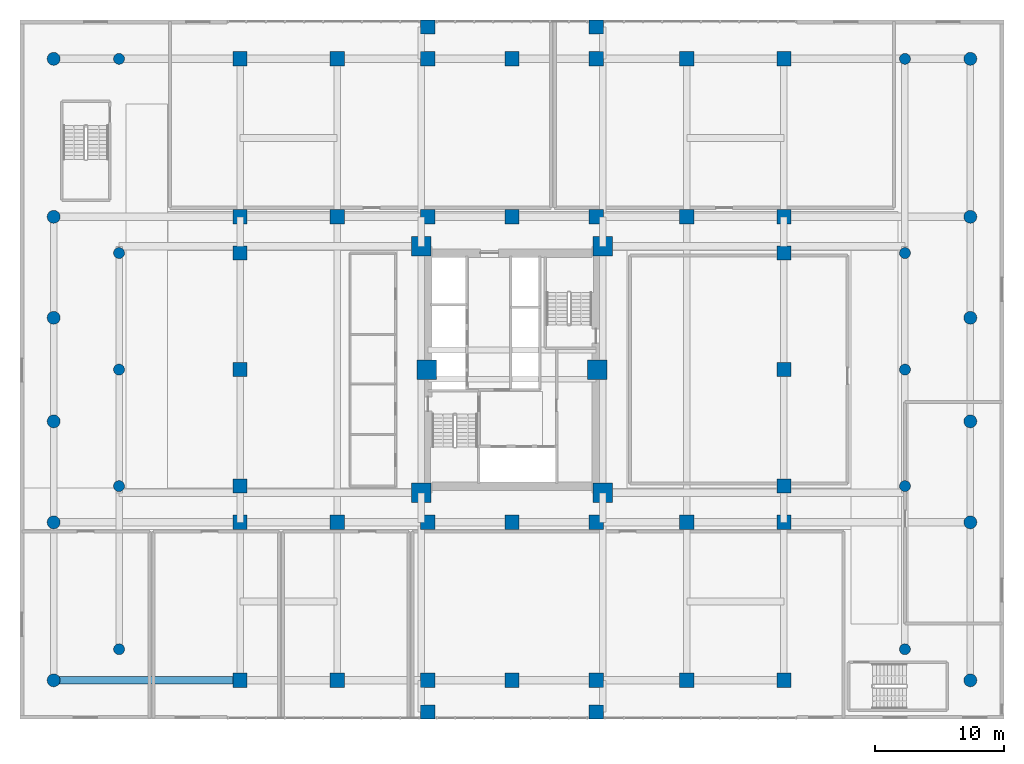
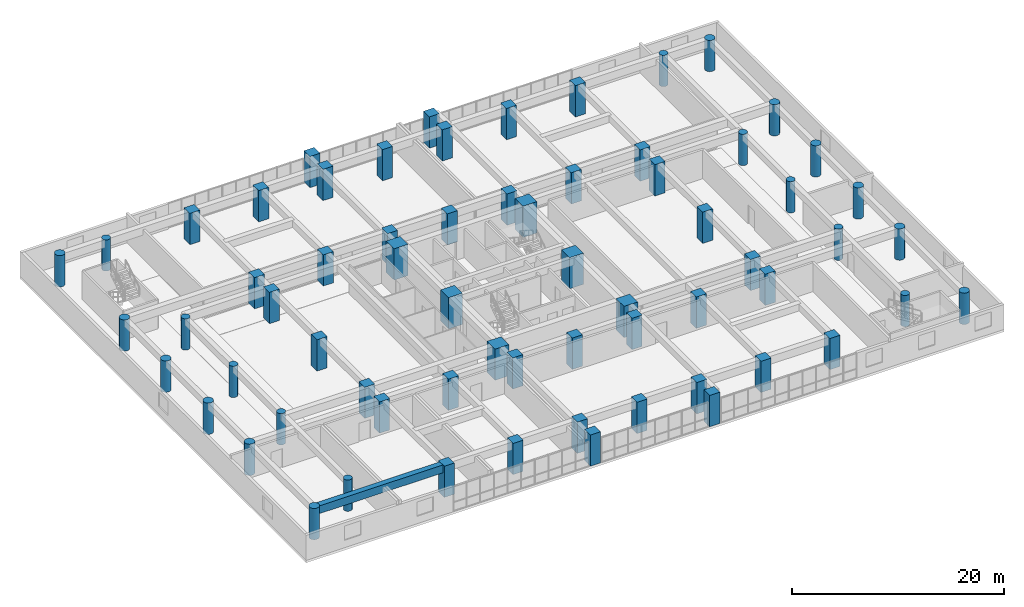
# One storey, part 1 of 30: 66 columns, 1 beam.
"""IFC4 building model written with IfcOpenShell, lengths in metres."""

from ifc_helpers import new_model, si_unit, direction, frame, origin, origin_2d, place, context, subcontext, project, spatial, rectangle, circle, extrude, source, transform, mapped, material, material_profile, profile_set, type_object, element, save


model = new_model("IFC4")

# Units and contexts
model_context = context("Model", 3, precision=1e-05, world=origin(), true_north=direction((0.0, 1.0)))
body_context = subcontext(model_context, "Body", "Model", "MODEL_VIEW")
ifc_project = project(units=[si_unit("LENGTHUNIT", "METRE"), si_unit("AREAUNIT", "SQUARE_METRE"), si_unit("VOLUMEUNIT", "CUBIC_METRE"), si_unit("PLANEANGLEUNIT", "RADIAN"), si_unit("MASSUNIT", "GRAM", prefix="KILO")], contexts=[model_context])

# Site, building, storey
site_placement = place(None, origin())
site = spatial("IfcSite", under=ifc_project, at=site_placement, CompositionType="ELEMENT")
building_placement = place(site_placement, origin())
building = spatial("IfcBuilding", under=site, at=building_placement, Name="Saelheon Loggia Tower", CompositionType="ELEMENT")
storey_placement = place(building_placement, frame((0.0, 0.0, 7.800048828125)))
storey = spatial("IfcBuildingStorey", under=building, at=storey_placement, Name="L02", CompositionType="ELEMENT", Elevation=7.800048828125)

# Columns
ifc_material_1 = material(Name="Concrete C60/75", Category="concrete")
ifc_material_profile_1 = material_profile(ifc_material_1, rectangle(XDim=1.5, YDim=1.5, at=origin_2d()), Name="RC-1500x1500")
ifc_profile_set_1 = profile_set([ifc_material_profile_1], Name="Concrete C60/75")
column_type_1 = type_object("IfcColumnType", Name="Col_Core_RC1500", PredefinedType="COLUMN", material=ifc_profile_set_1)
shared_shape_1 = source(origin(), body_context, "Body", "SweptSolid", [
    extrude(rectangle(XDim=1.5, YDim=1.5, at=origin_2d()), origin(), (0.0, 0.0, 1.0), 3.599853515625),
])
for number, where, z_axis, x_axis, name in (
    (1, (30.97998046875, 17.47998046875, 0.0), (0.0, 0.0, 1.0), (1.0, 0.0, 0.0), "L02 Core Column CR-SW"),
    (2, (45.02001953125, 17.47998046875, 0.0), (0.0, 0.0, 1.0), (1.0, 0.0, 0.0), "L02 Core Column CR-SE"),
    (3, (30.97998046875, 36.52001953125, 0.0), (0.0, 0.0, 1.0), (1.0, 0.0, 0.0), "L02 Core Column CR-NW"),
    (4, (45.02001953125, 36.52001953125, 0.0), (0.0, 0.0, 1.0), (1.0, 0.0, 0.0), "L02 Core Column CR-NE"),
    (5, (31.419921875, 27.0, 0.0), (0.0, 0.0, 1.0), (1.0, 0.0, 0.0), "L02 Core Column CR-MW"),
    (6, (44.580078125, 27.0, 0.0), (0.0, 0.0, 1.0), (1.0, 0.0, 0.0), "L02 Core Column CR-ME"),
):
    element("IfcColumn", number, at=place(storey_placement, frame(where, z_axis=z_axis, x_axis=x_axis)), inside=storey, type_object=column_type_1, Name=name, PredefinedType="COLUMN", context=body_context, shape_type="MappedRepresentation", body=[
        mapped(shared_shape_1, transform((0.0, 0.0, 0.0), scale=1.0)),
    ])
ifc_material_2 = material(Name="Concrete C50/60", Category="concrete")
ifc_material_profile_2 = material_profile(ifc_material_2, circle(Radius=0.5, at=origin_2d()), Name="CIRC-1000")
ifc_profile_set_2 = profile_set([ifc_material_profile_2], Name="Concrete C50/60")
column_type_2 = type_object("IfcColumnType", Name="Col_Podium_CIRC1000", PredefinedType="COLUMN", material=ifc_profile_set_2)
shared_shape_2 = source(origin(), body_context, "Body", "SweptSolid", [
    extrude(circle(Radius=0.5, at=origin_2d()), origin(), (0.0, 0.0, 1.0), 3.599853515625),
])
for number, where, z_axis, x_axis, name in (
    (7, (2.60009765625, 3.0, 0.0), (0.0, 0.0, 1.0), (1.0, 0.0, 0.0), "L02 Podium Column PW1"),
    (8, (73.39990234375, 3.0, 0.0), (0.0, 0.0, 1.0), (1.0, 0.0, 0.0), "L02 Podium Column PE1"),
    (9, (2.60009765625, 15.199951171875, 0.0), (0.0, 0.0, 1.0), (1.0, 0.0, 0.0), "L02 Podium Column PW2"),
    (10, (73.39990234375, 15.199951171875, 0.0), (0.0, 0.0, 1.0), (1.0, 0.0, 0.0), "L02 Podium Column PE2"),
    (11, (2.60009765625, 23.0, 0.0), (0.0, 0.0, 1.0), (1.0, 0.0, 0.0), "L02 Podium Column PW3"),
    (12, (73.39990234375, 23.0, 0.0), (0.0, 0.0, 1.0), (1.0, 0.0, 0.0), "L02 Podium Column PE3"),
    (13, (2.60009765625, 31.0, 0.0), (0.0, 0.0, 1.0), (1.0, 0.0, 0.0), "L02 Podium Column PW4"),
    (14, (73.39990234375, 31.0, 0.0), (0.0, 0.0, 1.0), (1.0, 0.0, 0.0), "L02 Podium Column PE4"),
    (15, (2.60009765625, 38.800048828125, 0.0), (0.0, 0.0, 1.0), (1.0, 0.0, 0.0), "L02 Podium Column PW5"),
    (16, (73.39990234375, 38.800048828125, 0.0), (0.0, 0.0, 1.0), (1.0, 0.0, 0.0), "L02 Podium Column PE5"),
    (17, (2.60009765625, 51.0, 0.0), (0.0, 0.0, 1.0), (1.0, 0.0, 0.0), "L02 Podium Column PW6"),
    (18, (73.39990234375, 51.0, 0.0), (0.0, 0.0, 1.0), (1.0, 0.0, 0.0), "L02 Podium Column PE6"),
):
    element("IfcColumn", number, at=place(storey_placement, frame(where, z_axis=z_axis, x_axis=x_axis)), inside=storey, type_object=column_type_2, Name=name, PredefinedType="COLUMN", context=body_context, shape_type="MappedRepresentation", body=[
        mapped(shared_shape_2, transform((0.0, 0.0, 0.0), scale=1.0)),
    ])
ifc_material_3 = material(Name="Concrete C45/55", Category="concrete")
ifc_material_profile_3 = material_profile(ifc_material_3, circle(Radius=0.425048828125, at=origin_2d()), Name="CIRC-850")
ifc_profile_set_3 = profile_set([ifc_material_profile_3], Name="Concrete C45/55")
column_type_3 = type_object("IfcColumnType", Name="Col_Podium_CIRC850", PredefinedType="COLUMN", material=ifc_profile_set_3)
shared_shape_3 = source(origin(), body_context, "Body", "SweptSolid", [
    extrude(circle(Radius=0.425048828125, at=origin_2d()), origin(), (0.0, 0.0, 1.0), 3.599853515625),
])
for number, where, z_axis, x_axis, name in (
    (19, (7.64990234375, 5.39990234375, 0.0), (0.0, 0.0, 1.0), (1.0, 0.0, 0.0), "L02 Podium Column PMW1"),
    (20, (68.35009765625, 5.39990234375, 0.0), (0.0, 0.0, 1.0), (1.0, 0.0, 0.0), "L02 Podium Column PME1"),
    (21, (7.64990234375, 18.0, 0.0), (0.0, 0.0, 1.0), (1.0, 0.0, 0.0), "L02 Podium Column PMW2"),
    (22, (68.35009765625, 18.0, 0.0), (0.0, 0.0, 1.0), (1.0, 0.0, 0.0), "L02 Podium Column PME2"),
    (23, (7.64990234375, 27.0, 0.0), (0.0, 0.0, 1.0), (1.0, 0.0, 0.0), "L02 Podium Column PMW3"),
    (24, (68.35009765625, 27.0, 0.0), (0.0, 0.0, 1.0), (1.0, 0.0, 0.0), "L02 Podium Column PME3"),
    (25, (7.64990234375, 36.0, 0.0), (0.0, 0.0, 1.0), (1.0, 0.0, 0.0), "L02 Podium Column PMW4"),
    (26, (68.35009765625, 36.0, 0.0), (0.0, 0.0, 1.0), (1.0, 0.0, 0.0), "L02 Podium Column PME4"),
    (27, (7.64990234375, 51.0, 0.0), (0.0, 0.0, 1.0), (1.0, 0.0, 0.0), "L02 Podium Column PMW5"),
    (28, (68.35009765625, 51.0, 0.0), (0.0, 0.0, 1.0), (1.0, 0.0, 0.0), "L02 Podium Column PME5"),
):
    element("IfcColumn", number, at=place(storey_placement, frame(where, z_axis=z_axis, x_axis=x_axis)), inside=storey, type_object=column_type_3, Name=name, PredefinedType="COLUMN", context=body_context, shape_type="MappedRepresentation", body=[
        mapped(shared_shape_3, transform((0.0, 0.0, 0.0), scale=1.0)),
    ])
ifc_material_profile_4 = material_profile(ifc_material_2, rectangle(XDim=1.10009765625, YDim=1.10009765625, at=origin_2d()), Name="RC-1100x1100")
ifc_profile_set_4 = profile_set([ifc_material_profile_4], Name="Concrete C50/60")
column_type_4 = type_object("IfcColumnType", Name="Col_Perim_RC1100", PredefinedType="COLUMN", material=ifc_profile_set_4)
shared_shape_4 = source(origin(), body_context, "Body", "SweptSolid", [
    extrude(rectangle(XDim=1.10009765625, YDim=1.10009765625, at=origin_2d()), origin(), (0.0, 0.0, 1.0), 3.599853515625),
])
for number, where, z_axis, x_axis, name in (
    (29, (17.0, 3.0, 0.0), (0.0, 0.0, 1.0), (1.0, 0.0, 0.0), "L02 Podium Column PIW1"),
    (30, (59.0, 3.0, 0.0), (0.0, 0.0, 1.0), (1.0, 0.0, 0.0), "L02 Podium Column PIE1"),
    (31, (17.0, 15.199951171875, 0.0), (0.0, 0.0, 1.0), (1.0, 0.0, 0.0), "L02 Podium Column PIW2"),
    (32, (59.0, 15.199951171875, 0.0), (0.0, 0.0, 1.0), (1.0, 0.0, 0.0), "L02 Podium Column PIE2"),
    (33, (17.0, 18.0, 0.0), (0.0, 0.0, 1.0), (1.0, 0.0, 0.0), "L02 Podium Column PIW3"),
    (34, (59.0, 18.0, 0.0), (0.0, 0.0, 1.0), (1.0, 0.0, 0.0), "L02 Podium Column PIE3"),
    (35, (17.0, 27.0, 0.0), (0.0, 0.0, 1.0), (1.0, 0.0, 0.0), "L02 Podium Column PIW4"),
    (36, (59.0, 27.0, 0.0), (0.0, 0.0, 1.0), (1.0, 0.0, 0.0), "L02 Podium Column PIE4"),
    (37, (17.0, 36.0, 0.0), (0.0, 0.0, 1.0), (1.0, 0.0, 0.0), "L02 Podium Column PIW5"),
    (38, (59.0, 36.0, 0.0), (0.0, 0.0, 1.0), (1.0, 0.0, 0.0), "L02 Podium Column PIE5"),
    (39, (17.0, 38.800048828125, 0.0), (0.0, 0.0, 1.0), (1.0, 0.0, 0.0), "L02 Podium Column PIW6"),
    (40, (59.0, 38.800048828125, 0.0), (0.0, 0.0, 1.0), (1.0, 0.0, 0.0), "L02 Podium Column PIE6"),
    (41, (17.0, 51.0, 0.0), (0.0, 0.0, 1.0), (1.0, 0.0, 0.0), "L02 Podium Column PIW7"),
    (42, (59.0, 51.0, 0.0), (0.0, 0.0, 1.0), (1.0, 0.0, 0.0), "L02 Podium Column PIE7"),
    (43, (24.5, 3.0, 0.0), (0.0, 0.0, 1.0), (1.0, 0.0, 0.0), "L02 Podium Column C24Y030"),
    (44, (24.5, 15.199951171875, 0.0), (0.0, 0.0, 1.0), (1.0, 0.0, 0.0), "L02 Podium Column C24Y152"),
    (45, (24.5, 38.800048828125, 0.0), (0.0, 0.0, 1.0), (1.0, 0.0, 0.0), "L02 Podium Column C24Y388"),
    (46, (24.5, 51.0, 0.0), (0.0, 0.0, 1.0), (1.0, 0.0, 0.0), "L02 Podium Column C24Y510"),
):
    element("IfcColumn", number, at=place(storey_placement, frame(where, z_axis=z_axis, x_axis=x_axis)), inside=storey, type_object=column_type_4, Name=name, PredefinedType="COLUMN", context=body_context, shape_type="MappedRepresentation", body=[
        mapped(shared_shape_4, transform((0.0, 0.0, 0.0), scale=1.0)),
    ])
ifc_material_profile_5 = material_profile(ifc_material_2, rectangle(XDim=1.10009765625, YDim=1.10009765625, at=origin_2d()), Name="RC-1100x1100")
ifc_profile_set_5 = profile_set([ifc_material_profile_5], Name="Concrete C50/60")
column_type_5 = type_object("IfcColumnType", Name="Col_PerimExt_RC1100", PredefinedType="COLUMN", material=ifc_profile_set_5)
column_1_placement = place(storey_placement, frame((31.5, 0.550048828125, 0.0), z_axis=(0.0, 0.0, 1.0), x_axis=(1.0, 0.0, 0.0)))
element("IfcColumn", 47, at=column_1_placement, inside=storey, type_object=column_type_5, Name="L02 Podium Column C31Y006", PredefinedType="COLUMN", context=body_context, shape_type="MappedRepresentation", body=[
    mapped(shared_shape_4, transform((0.0, 0.0, 0.0), scale=1.0)),
])
for number, where, z_axis, x_axis, name in (
    (48, (31.5, 3.0, 0.0), (0.0, 0.0, 1.0), (1.0, 0.0, 0.0), "L02 Podium Column C31Y030"),
    (49, (31.5, 15.199951171875, 0.0), (0.0, 0.0, 1.0), (1.0, 0.0, 0.0), "L02 Podium Column C31Y152"),
    (50, (31.5, 38.800048828125, 0.0), (0.0, 0.0, 1.0), (1.0, 0.0, 0.0), "L02 Podium Column C31Y388"),
    (51, (31.5, 51.0, 0.0), (0.0, 0.0, 1.0), (1.0, 0.0, 0.0), "L02 Podium Column C31Y510"),
):
    element("IfcColumn", number, at=place(storey_placement, frame(where, z_axis=z_axis, x_axis=x_axis)), inside=storey, type_object=column_type_4, Name=name, PredefinedType="COLUMN", context=body_context, shape_type="MappedRepresentation", body=[
        mapped(shared_shape_4, transform((0.0, 0.0, 0.0), scale=1.0)),
    ])
column_2_placement = place(storey_placement, frame((31.5, 53.449951171875, 0.0), z_axis=(0.0, 0.0, 1.0), x_axis=(1.0, 0.0, 0.0)))
element("IfcColumn", 52, at=column_2_placement, inside=storey, type_object=column_type_5, Name="L02 Podium Column C31Y534", PredefinedType="COLUMN", context=body_context, shape_type="MappedRepresentation", body=[
    mapped(shared_shape_4, transform((0.0, 0.0, 0.0), scale=1.0)),
])
for number, where, z_axis, x_axis, name in (
    (53, (38.0, 3.0, 0.0), (0.0, 0.0, 1.0), (1.0, 0.0, 0.0), "L02 Podium Column C38Y030"),
    (54, (38.0, 15.199951171875, 0.0), (0.0, 0.0, 1.0), (1.0, 0.0, 0.0), "L02 Podium Column C38Y152"),
    (55, (38.0, 38.800048828125, 0.0), (0.0, 0.0, 1.0), (1.0, 0.0, 0.0), "L02 Podium Column C38Y388"),
    (56, (38.0, 51.0, 0.0), (0.0, 0.0, 1.0), (1.0, 0.0, 0.0), "L02 Podium Column C38Y510"),
):
    element("IfcColumn", number, at=place(storey_placement, frame(where, z_axis=z_axis, x_axis=x_axis)), inside=storey, type_object=column_type_4, Name=name, PredefinedType="COLUMN", context=body_context, shape_type="MappedRepresentation", body=[
        mapped(shared_shape_4, transform((0.0, 0.0, 0.0), scale=1.0)),
    ])
column_3_placement = place(storey_placement, frame((44.5, 0.550048828125, 0.0), z_axis=(0.0, 0.0, 1.0), x_axis=(1.0, 0.0, 0.0)))
element("IfcColumn", 57, at=column_3_placement, inside=storey, type_object=column_type_5, Name="L02 Podium Column C44Y006", PredefinedType="COLUMN", context=body_context, shape_type="MappedRepresentation", body=[
    mapped(shared_shape_4, transform((0.0, 0.0, 0.0), scale=1.0)),
])
for number, where, z_axis, x_axis, name in (
    (58, (44.5, 3.0, 0.0), (0.0, 0.0, 1.0), (1.0, 0.0, 0.0), "L02 Podium Column C44Y030"),
    (59, (44.5, 15.199951171875, 0.0), (0.0, 0.0, 1.0), (1.0, 0.0, 0.0), "L02 Podium Column C44Y152"),
    (60, (44.5, 38.800048828125, 0.0), (0.0, 0.0, 1.0), (1.0, 0.0, 0.0), "L02 Podium Column C44Y388"),
    (61, (44.5, 51.0, 0.0), (0.0, 0.0, 1.0), (1.0, 0.0, 0.0), "L02 Podium Column C44Y510"),
):
    element("IfcColumn", number, at=place(storey_placement, frame(where, z_axis=z_axis, x_axis=x_axis)), inside=storey, type_object=column_type_4, Name=name, PredefinedType="COLUMN", context=body_context, shape_type="MappedRepresentation", body=[
        mapped(shared_shape_4, transform((0.0, 0.0, 0.0), scale=1.0)),
    ])
column_4_placement = place(storey_placement, frame((44.5, 53.449951171875, 0.0), z_axis=(0.0, 0.0, 1.0), x_axis=(1.0, 0.0, 0.0)))
element("IfcColumn", 62, at=column_4_placement, inside=storey, type_object=column_type_5, Name="L02 Podium Column C44Y534", PredefinedType="COLUMN", context=body_context, shape_type="MappedRepresentation", body=[
    mapped(shared_shape_4, transform((0.0, 0.0, 0.0), scale=1.0)),
])
for number, where, z_axis, x_axis, name in (
    (63, (51.5, 3.0, 0.0), (0.0, 0.0, 1.0), (1.0, 0.0, 0.0), "L02 Podium Column C51Y030"),
    (64, (51.5, 15.199951171875, 0.0), (0.0, 0.0, 1.0), (1.0, 0.0, 0.0), "L02 Podium Column C51Y152"),
    (65, (51.5, 38.800048828125, 0.0), (0.0, 0.0, 1.0), (1.0, 0.0, 0.0), "L02 Podium Column C51Y388"),
    (66, (51.5, 51.0, 0.0), (0.0, 0.0, 1.0), (1.0, 0.0, 0.0), "L02 Podium Column C51Y510"),
):
    element("IfcColumn", number, at=place(storey_placement, frame(where, z_axis=z_axis, x_axis=x_axis)), inside=storey, type_object=column_type_4, Name=name, PredefinedType="COLUMN", context=body_context, shape_type="MappedRepresentation", body=[
        mapped(shared_shape_4, transform((0.0, 0.0, 0.0), scale=1.0)),
    ])

# Beam
ifc_material_profile_6 = material_profile(ifc_material_2, rectangle(XDim=0.60009765625, YDim=0.89990234375, at=origin_2d()), Name="RC-600x900")
ifc_profile_set_6 = profile_set([ifc_material_profile_6], Name="Concrete C50/60")
beam_type = type_object("IfcBeamType", Name="Beam_MainGirder_RC600x900", PredefinedType="BEAM", material=ifc_profile_set_6)
shared_shape_5 = source(origin(), body_context, "Body", "SweptSolid", [
    extrude(rectangle(XDim=0.60009765625, YDim=0.89990234375, at=origin_2d()), origin(), (0.0, 0.0, 1.0), 14.39990234375),
])
beam_placement = place(storey_placement, frame((2.60009765625, 3.0, 3.14990234375), z_axis=(1.0, 0.0, 0.0), x_axis=(0.0, 1.0, 0.0)))
element("IfcBeam", 67, at=beam_placement, inside=storey, type_object=beam_type, Name="BM-L02-EW-3-1", PredefinedType="BEAM", context=body_context, shape_type="MappedRepresentation", body=[
    mapped(shared_shape_5, transform((0.0, 0.0, 0.0), scale=1.0)),
])

save(model, "model.ifc")
